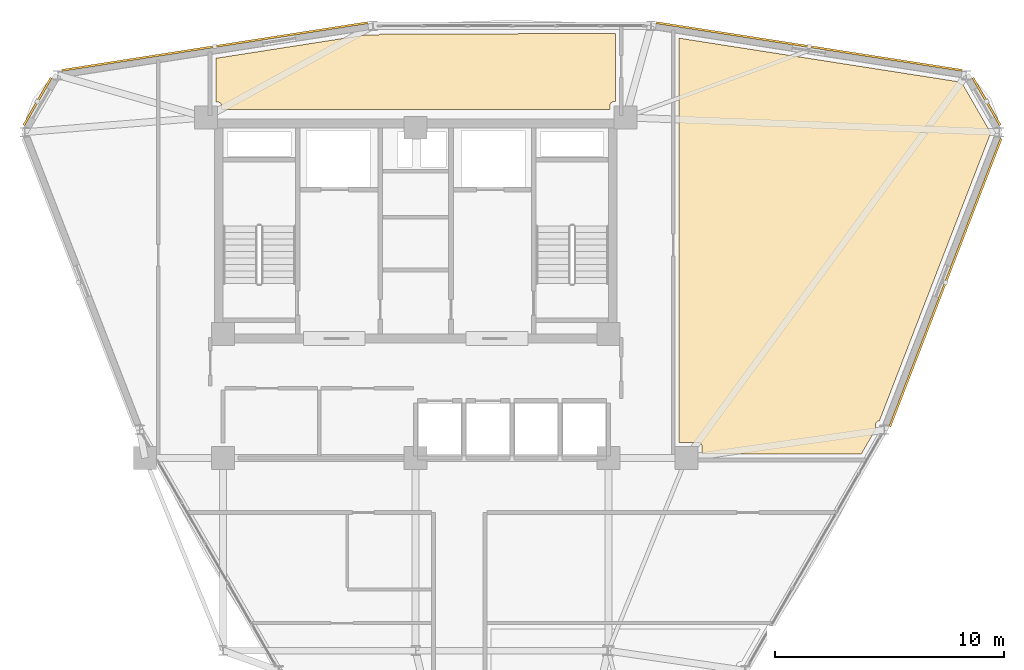
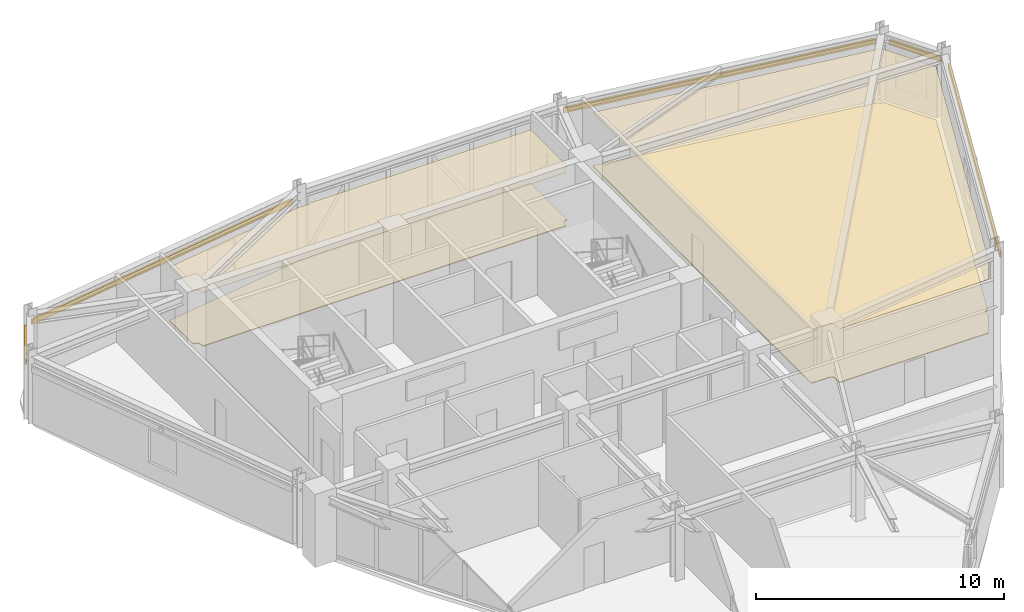
# One storey, part 16 of 16: 5 shading devices, 4 coverings.
"""IFC4 building model written with IfcOpenShell, lengths in metres."""

import ifcopenshell
import ifcopenshell.guid

model = None  # the IFC model being written
_history = None  # IfcOwnerHistory: only IFC2X3 demands one
_inside = {}  # id of a spatial element -> (the spatial element, [elements in it])
_under = {}  # id of a project, library or spatial element -> (it, [spatial elements below it])
_declared = {}  # id of a project -> (the project, [libraries it declares])
_typed = {}  # id of a type object -> (the type object, [elements of that type])
_made_of = {}  # id of a material, layer set ... -> (it, [elements and type objects made of it])


def new_model(schema):
    """Start an empty IFC model of exactly this schema.

    Asked for "IFC4X3", IfcOpenShell would pick the latest addendum, in which some entities
    have other attributes; the version numbers below select the first issue.
    IFC2X3 requires an IfcOwnerHistory on every rooted entity: one is made here for all.
    """
    global model, _history
    if schema == "IFC4X3":
        model = ifcopenshell.file(schema_version=(4, 3, 0, 0))
    else:
        model = ifcopenshell.file(schema=schema)
    _inside.clear()
    _under.clear()
    _declared.clear()
    _typed.clear()
    _made_of.clear()
    _history = None
    if model.schema == "IFC2X3":
        org = make("IfcOrganization", Name="unknown")
        user = make(
            "IfcPersonAndOrganization",
            ThePerson=make("IfcPerson", FamilyName="unknown"),
            TheOrganization=org,
        )
        app = make(
            "IfcApplication",
            ApplicationDeveloper=org,
            Version="unknown",
            ApplicationFullName="unknown",
            ApplicationIdentifier="unknown",
        )
        _history = make(
            "IfcOwnerHistory",
            OwningUser=user,
            OwningApplication=app,
            ChangeAction="ADDED",
            CreationDate=0,
        )
    return model


def make(cls, **values):
    """One entity of the class cls with the attributes given. An attribute that is None is left unset."""
    return model.create_entity(
        cls, **{name: value for name, value in values.items() if value is not None}
    )


def rooted(cls, **values):
    """An entity with a GlobalId (a new one), such as an element, a storey or a relation."""
    return make(cls, GlobalId=ifcopenshell.guid.new(), OwnerHistory=_history, **values)


def si_unit(unit_type, name, prefix=None):
    """IfcSIUnit, for example si_unit("LENGTHUNIT", "METRE", prefix="MILLI")."""
    return make("IfcSIUnit", UnitType=unit_type, Prefix=prefix, Name=name)


def derived_unit(unit_type, elements):
    """IfcDerivedUnit: a product of units, each with its exponent."""
    return make(
        "IfcDerivedUnit",
        Elements=[
            make("IfcDerivedUnitElement", Unit=unit, Exponent=power)
            for unit, power in elements
        ],
        UnitType=unit_type,
    )


def assignment(units):
    """IfcUnitAssignment: the units of a project."""
    return None if units is None else make("IfcUnitAssignment", Units=units)


def point(xyz):
    """IfcCartesianPoint."""
    return None if xyz is None else make("IfcCartesianPoint", Coordinates=xyz)


def direction(xyz):
    """IfcDirection."""
    return None if xyz is None else make("IfcDirection", DirectionRatios=xyz)


def frame(location, z_axis=None, x_axis=None):
    """IfcAxis2Placement3D, a coordinate frame: its origin and axes. An axis left out is left unset."""
    return make(
        "IfcAxis2Placement3D",
        Location=point(location),
        Axis=direction(z_axis),
        RefDirection=direction(x_axis),
    )


def frame_2d(location, x_axis=None):
    """IfcAxis2Placement2D, a coordinate frame in the plane: its origin and x axis."""
    return make(
        "IfcAxis2Placement2D", Location=point(location), RefDirection=direction(x_axis)
    )


def origin():
    """The frame at (0, 0, 0) with its axes left unset."""
    return frame((0.0, 0.0, 0.0))


def origin_2d():
    """The frame at (0, 0) in the plane with its x axis left unset."""
    return frame_2d((0.0, 0.0))


def place(relative_to, where):
    """IfcLocalPlacement: puts the frame where relative to a parent placement (None: the world)."""
    return make(
        "IfcLocalPlacement", PlacementRelTo=relative_to, RelativePlacement=where
    )


def context(
    kind, dimensions, precision=None, world=None, true_north=None, identifier=None
):
    """IfcGeometricRepresentationContext, for example the 3D "Model" context."""
    return make(
        "IfcGeometricRepresentationContext",
        ContextIdentifier=identifier,
        ContextType=kind,
        CoordinateSpaceDimension=dimensions,
        Precision=precision,
        WorldCoordinateSystem=world,
        TrueNorth=true_north,
    )


def subcontext(parent, identifier, kind, view, scale=None):
    """IfcGeometricRepresentationSubContext, for example "Body" below "Model"."""
    return make(
        "IfcGeometricRepresentationSubContext",
        ContextIdentifier=identifier,
        ContextType=kind,
        ParentContext=parent,
        TargetScale=scale,
        TargetView=view,
    )


def project(units=None, contexts=None):
    """IfcProject with its units and contexts."""
    return rooted(
        "IfcProject",
        Name="project",
        RepresentationContexts=contexts,
        UnitsInContext=assignment(units),
    )


def spatial(cls, under=None, at=None, **own):
    """A site, building, storey or space (cls), placed at a placement, below another one or the project."""
    s = rooted(cls, ObjectPlacement=at, **own)
    if under is not None:
        _under.setdefault(under.id(), (under, []))[1].append(s)
    return s


def polyline(points):
    """IfcPolyline through the points."""
    return make("IfcPolyline", Points=[point(p) for p in points])


def profile(cls, at=None, kind="AREA", **sizes):
    """A parametric profile (cls). Its sizes go by their IFC names, for example OverallWidth=200.0."""
    return make(cls, ProfileType=kind, Position=at, **sizes)


def hollow_rectangle(**sizes):
    """IfcRectangleHollowProfileDef."""
    return profile("IfcRectangleHollowProfileDef", **sizes)


def outline(outer, holes=None, kind="AREA"):
    """IfcArbitraryClosedProfileDef: a profile drawn as a closed curve; with holes, ...WithVoids."""
    if holes is None:
        return make("IfcArbitraryClosedProfileDef", ProfileType=kind, OuterCurve=outer)
    return make(
        "IfcArbitraryProfileDefWithVoids",
        ProfileType=kind,
        OuterCurve=outer,
        InnerCurves=holes,
    )


def extrude(swept, where, along, depth):
    """IfcExtrudedAreaSolid: the profile swept, set in the frame where, extruded along a direction by depth."""
    return make(
        "IfcExtrudedAreaSolid",
        SweptArea=swept,
        Position=where,
        ExtrudedDirection=direction(along),
        Depth=depth,
    )


def shape(context_of_items, identifier, shape_type, items):
    """IfcShapeRepresentation: the items that make up one representation, for example the "Body"."""
    return make(
        "IfcShapeRepresentation",
        ContextOfItems=context_of_items,
        RepresentationIdentifier=identifier,
        RepresentationType=shape_type,
        Items=items,
    )


def source(mapping_origin, context_of_items, identifier, shape_type, items):
    """IfcRepresentationMap: a shape defined once, which mapped items show again and again."""
    return make(
        "IfcRepresentationMap",
        MappingOrigin=mapping_origin,
        MappedRepresentation=shape(context_of_items, identifier, shape_type, items),
    )


def transform(
    local_origin,
    x_axis=None,
    y_axis=None,
    z_axis=None,
    scale=None,
    scale2=None,
    scale3=None,
    uniform=True,
):
    """IfcCartesianTransformationOperator3D, or its non-uniform kind. x_axis, y_axis, z_axis: its Axis1, 2, 3."""
    if uniform:
        return make(
            "IfcCartesianTransformationOperator3D",
            Axis1=direction(x_axis),
            Axis2=direction(y_axis),
            LocalOrigin=point(local_origin),
            Scale=scale,
            Axis3=direction(z_axis),
        )
    return make(
        "IfcCartesianTransformationOperator3DnonUniform",
        Axis1=direction(x_axis),
        Axis2=direction(y_axis),
        LocalOrigin=point(local_origin),
        Scale=scale,
        Axis3=direction(z_axis),
        Scale2=scale2,
        Scale3=scale3,
    )


def mapped(mapping_source, mapping_target):
    """IfcMappedItem: shows the shape of a source again, moved by a transform."""
    return make(
        "IfcMappedItem", MappingSource=mapping_source, MappingTarget=mapping_target
    )


def material(Name=None, Category=None):
    """IfcMaterial."""
    return make("IfcMaterial", Name=Name, Category=Category)


def layer(
    of_material, thickness, ventilated=None, Name=None, Category=None, Priority=None
):
    """IfcMaterialLayer: one layer of a wall or slab, of a material (None: an air gap)."""
    return make(
        "IfcMaterialLayer",
        Material=of_material,
        LayerThickness=thickness,
        IsVentilated=ventilated,
        Name=Name,
        Category=Category,
        Priority=Priority,
    )


def layer_set(layers, Name=None):
    """IfcMaterialLayerSet."""
    return make("IfcMaterialLayerSet", MaterialLayers=layers, LayerSetName=Name)


def material_profile(
    of_material, cross_section, Name=None, Category=None, Priority=None
):
    """IfcMaterialProfile: a cross section and its material."""
    return make(
        "IfcMaterialProfile",
        Name=Name,
        Material=of_material,
        Profile=cross_section,
        Priority=Priority,
        Category=Category,
    )


def profile_set(profiles, Name=None, composite=None):
    """IfcMaterialProfileSet."""
    return make(
        "IfcMaterialProfileSet",
        Name=Name,
        MaterialProfiles=profiles,
        CompositeProfile=composite,
    )


def made_of(thing, what):
    """Note that an element or type object is made of a material, layer set ...; save() writes the relation."""
    if what is not None:
        _made_of.setdefault(what.id(), (what, []))[1].append(thing)
    return thing


def type_object(cls, material=None, **own):
    """A type object (cls), such as IfcWallType, which elements share."""
    return made_of(rooted(cls, **own), material)


def element(
    cls,
    number,
    at=None,
    inside=None,
    cuts=None,
    type_object=None,
    material=None,
    context=None,
    identifier="Body",
    shape_type=None,
    held_by="IfcProductDefinitionShape",
    body=None,
    shapes=None,
    **own,
):
    """One element of the class cls, such as IfcWall. Its Tag is "e" and its number.

    at: its placement. inside: the storey or other place that contains it. cuts: it is an
    opening in that element (IfcRelVoidsElement). A single representation is given by context,
    identifier, shape_type and body (its items); several are given by shapes. held_by: the class
    of the entity that holds the representations. save() writes the other relations.
    """
    e = rooted(cls, Tag="e%d" % number, ObjectPlacement=at, **own)
    if body is not None:
        shapes = [shape(context, identifier, shape_type, body)]
    if shapes is not None:
        e.Representation = make(held_by, Representations=shapes)
    if inside is not None:
        _inside.setdefault(inside.id(), (inside, []))[1].append(e)
    if cuts is not None:
        rooted(
            "IfcRelVoidsElement", RelatingBuildingElement=cuts, RelatedOpeningElement=e
        )
    if type_object is not None:
        _typed.setdefault(type_object.id(), (type_object, []))[1].append(e)
    return made_of(e, material)


def aggregate(whole, parts):
    """IfcRelAggregates: a whole, such as a stair, and the parts it consists of."""
    return rooted("IfcRelAggregates", RelatingObject=whole, RelatedObjects=parts)


def save(model, path):
    """Write the relations noted so far, then the file.

    IfcRelAggregates (storeys below a building ...), IfcRelContainedInSpatialStructure (elements
    in a storey), IfcRelDefinesByType, IfcRelAssociatesMaterial and IfcRelDeclares: one each for
    every whole, place, type object, material and project.
    """
    for whole, parts in _under.values():
        aggregate(whole, parts)
    for where, things in _inside.values():
        rooted(
            "IfcRelContainedInSpatialStructure",
            RelatedElements=things,
            RelatingStructure=where,
        )
    for kind, things in _typed.values():
        rooted("IfcRelDefinesByType", RelatedObjects=things, RelatingType=kind)
    for what, things in _made_of.values():
        rooted("IfcRelAssociatesMaterial", RelatedObjects=things, RelatingMaterial=what)
    for by, libraries in _declared.values():
        rooted("IfcRelDeclares", RelatingContext=by, RelatedDefinitions=libraries)
    model.write(path)


model = new_model("IFC4")

# Units and contexts
model_context = context("Model", 3, precision=1e-05, world=origin(), true_north=direction((0.0, 1.0)))
body_context = subcontext(model_context, "Body", "Model", "MODEL_VIEW")
ifc_project = project(units=[si_unit("LENGTHUNIT", "METRE"), si_unit("AREAUNIT", "SQUARE_METRE"), si_unit("VOLUMEUNIT", "CUBIC_METRE"), si_unit("PLANEANGLEUNIT", "RADIAN"), si_unit("MASSUNIT", "GRAM", prefix="KILO"), derived_unit("THERMALTRANSMITTANCEUNIT", [(si_unit("POWERUNIT", "WATT"), 1), (si_unit("LENGTHUNIT", "METRE"), -2), (si_unit("THERMODYNAMICTEMPERATUREUNIT", "KELVIN"), -1)])], contexts=[model_context])

# Site, building, storey
site_placement = place(None, origin())
site = spatial("IfcSite", under=ifc_project, at=site_placement, CompositionType="ELEMENT")
building_placement = place(site_placement, origin())
building = spatial("IfcBuilding", under=site, at=building_placement, Name="Korsvarv Bourse and Concert Hall", CompositionType="ELEMENT")
storey_placement = place(building_placement, frame((0.0, 0.0, 234.60009765625)))
storey = spatial("IfcBuildingStorey", under=building, at=storey_placement, Name="L61", CompositionType="ELEMENT", Elevation=234.60009765625)

# Coverings
ifc_material_1 = material(Name="Perforated mineral-wool and birch acoustic baffle ceiling", Category="wood")
ifc_layer_1 = layer(ifc_material_1, 0.02490234375)
ifc_layer_set_1 = layer_set([ifc_layer_1], Name="Perforated mineral-wool and birch acoustic baffle ceiling")
covering_type_1 = type_object("IfcCoveringType", Name="COV-CEIL-1", PredefinedType="CEILING", material=ifc_layer_set_1)
covering_1_placement = place(storey_placement, frame((0.0, 0.0, 2.639892578125)))
element("IfcCovering", 1, at=covering_1_placement, inside=storey, type_object=covering_type_1, Name="L61 acoustic baffle ceiling 1", PredefinedType="CEILING", context=body_context, shape_type="SweptSolid", body=[
    extrude(outline(polyline([(48.489990234375, 32.570068359375), (48.489990234375, 32.89990234375), (48.486572265625, 32.934814453125), (48.4765625, 32.968505859375), (48.4599609375, 32.99951171875), (48.43798828125, 33.026611328125), (48.410888671875, 33.049072265625), (48.380126953125, 33.06591796875), (48.3466796875, 33.076171875), (48.311767578125, 33.080078125), (47.47998046875, 33.088134765625), (47.47998046875, 50.70703125), (59.6337890625, 48.81201171875), (59.647705078125, 48.78759765625), (59.6708984375, 48.760009765625), (59.699462890625, 48.73779296875), (59.731689453125, 48.721435546875), (59.766357421875, 48.712158203125), (59.84228515625, 48.706298828125), (61.05419921875, 46.60693359375), (61.05419921875, 46.53271484375), (56.21923828125, 34.026611328125), (56.19287109375, 34.023681640625), (56.159912109375, 34.013916015625), (56.129150390625, 33.998291015625), (56.102294921875, 33.976806640625), (56.079833984375, 33.95068359375), (56.062744140625, 33.920654296875), (56.0517578125, 33.887939453125), (56.047119140625, 33.853759765625), (56.038818359375, 33.631591796875), (55.426025390625, 32.570068359375), (48.489990234375, 32.570068359375)])), origin(), (0.0, 0.0, 1.0), 0.02490234375),
])
covering_2_placement = place(storey_placement, frame((0.0, 0.0, 2.639892578125)))
element("IfcCovering", 2, at=covering_2_placement, inside=storey, type_object=covering_type_1, Name="L61 acoustic baffle ceiling 3", PredefinedType="CEILING", context=body_context, shape_type="SweptSolid", body=[
    extrude(outline(polyline([(33.87890625, 50.856689453125), (33.905517578125, 50.851318359375), (34.338134765625, 50.843017578125), (34.37451171875, 50.84619140625), (34.4091796875, 50.8564453125), (34.44140625, 50.87353515625), (34.469482421875, 50.896728515625), (44.7099609375, 50.901123046875), (44.7099609375, 47.93994140625), (44.64990234375, 47.93994140625), (44.615478515625, 47.936767578125), (44.582275390625, 47.9267578125), (44.5517578125, 47.910888671875), (44.524658203125, 47.88916015625), (44.502197265625, 47.86279296875), (44.4853515625, 47.83251953125), (44.474365234375, 47.799560546875), (44.47021484375, 47.765380859375), (44.465087890625, 47.60009765625), (27.5400390625, 47.60009765625), (27.5400390625, 47.75), (27.53662109375, 47.7841796875), (27.527099609375, 47.817138671875), (27.510986328125, 47.84765625), (27.48974609375, 47.874755859375), (27.463623046875, 47.897216796875), (27.433837890625, 47.914306640625), (27.4013671875, 47.92529296875), (27.3671875, 47.929931640625), (27.2900390625, 47.932861328125), (27.2900390625, 49.8291015625), (33.87890625, 50.856689453125)])), origin(), (0.0, 0.0, 1.0), 0.02490234375),
])
ifc_material_2 = material(Name="Calcium-sulphate raised access trading floor with Nordic oak top", Category="wood")
ifc_layer_2 = layer(ifc_material_2, 0.0400390625)
ifc_layer_set_2 = layer_set([ifc_layer_2], Name="Calcium-sulphate raised access trading floor with Nordic oak top")
covering_type_2 = type_object("IfcCoveringType", Name="COV-FLOR-1", PredefinedType="FLOORING", material=ifc_layer_set_2)
covering_3_placement = place(storey_placement, origin())
element("IfcCovering", 3, at=covering_3_placement, inside=storey, type_object=covering_type_2, Name="L61 raised access oak floor finish 1", PredefinedType="FLOORING", context=body_context, shape_type="SweptSolid", body=[
    extrude(outline(polyline([(48.489990234375, 32.570068359375), (48.489990234375, 32.89990234375), (48.486572265625, 32.934814453125), (48.4765625, 32.968505859375), (48.4599609375, 32.99951171875), (48.43798828125, 33.026611328125), (48.410888671875, 33.049072265625), (48.380126953125, 33.06591796875), (48.3466796875, 33.076171875), (48.311767578125, 33.080078125), (47.47998046875, 33.088134765625), (47.47998046875, 50.70703125), (59.6337890625, 48.81201171875), (59.647705078125, 48.78759765625), (59.6708984375, 48.760009765625), (59.699462890625, 48.73779296875), (59.731689453125, 48.721435546875), (59.766357421875, 48.712158203125), (59.84228515625, 48.706298828125), (61.05419921875, 46.60693359375), (61.05419921875, 46.53271484375), (56.21923828125, 34.026611328125), (56.19287109375, 34.023681640625), (56.159912109375, 34.013916015625), (56.129150390625, 33.998291015625), (56.102294921875, 33.976806640625), (56.079833984375, 33.95068359375), (56.062744140625, 33.920654296875), (56.0517578125, 33.887939453125), (56.047119140625, 33.853759765625), (56.038818359375, 33.631591796875), (55.426025390625, 32.570068359375), (48.489990234375, 32.570068359375)])), origin(), (0.0, 0.0, 1.0), 0.039794921875),
])
covering_4_placement = place(storey_placement, origin())
element("IfcCovering", 4, at=covering_4_placement, inside=storey, type_object=covering_type_2, Name="L61 raised access oak floor finish 3", PredefinedType="FLOORING", context=body_context, shape_type="SweptSolid", body=[
    extrude(outline(polyline([(33.87890625, 50.856689453125), (33.905517578125, 50.851318359375), (34.338134765625, 50.843017578125), (34.37451171875, 50.84619140625), (34.4091796875, 50.8564453125), (34.44140625, 50.87353515625), (34.469482421875, 50.896728515625), (44.7099609375, 50.901123046875), (44.7099609375, 47.93994140625), (44.64990234375, 47.93994140625), (44.615478515625, 47.936767578125), (44.582275390625, 47.9267578125), (44.5517578125, 47.910888671875), (44.524658203125, 47.88916015625), (44.502197265625, 47.86279296875), (44.4853515625, 47.83251953125), (44.474365234375, 47.799560546875), (44.47021484375, 47.765380859375), (44.465087890625, 47.60009765625), (27.5400390625, 47.60009765625), (27.5400390625, 47.75), (27.53662109375, 47.7841796875), (27.527099609375, 47.817138671875), (27.510986328125, 47.84765625), (27.48974609375, 47.874755859375), (27.463623046875, 47.897216796875), (27.433837890625, 47.914306640625), (27.4013671875, 47.92529296875), (27.3671875, 47.929931640625), (27.2900390625, 47.932861328125), (27.2900390625, 49.8291015625), (33.87890625, 50.856689453125)])), origin(), (0.0, 0.0, 1.0), 0.039794921875),
])

# Shading devices
ifc_material_3 = material(Name="Glazed extruded architectural terracotta", Category="ceramic")
ifc_material_profile = material_profile(ifc_material_3, hollow_rectangle(XDim=0.090087890625, YDim=0.260009765625, WallThickness=0.011962890625, at=origin_2d()), Name="TC-BAG 90x260")
ifc_profile_set = profile_set([ifc_material_profile], Name="Glazed extruded architectural terracotta")
shading_device_type = type_object("IfcShadingDeviceType", Name="SHD-BAG-1", PredefinedType="USERDEFINED", material=ifc_profile_set)
shared_shape_1 = source(origin(), body_context, "Body", "SweptSolid", [
    extrude(hollow_rectangle(XDim=0.090087890625, YDim=0.260009765625, WallThickness=0.011962890625, at=origin_2d()), origin(), (0.0, 0.0, 1.0), 2.384765625),
])
for number, where, z_axis, x_axis, name in (
    (5, (61.484619140625, 46.911865234375, 2.7099609375), (-0.500014901547, 0.866016800201, 0.0), (-0.866016800201, -0.500014901547, 0.0), "L61 terracotta baguette sunshade EW-L61-B01"),
    (6, (20.10791015625, 48.97705078125, 2.7099609375), (-0.500014901547, -0.866016800201, 0.0), (0.866016800201, -0.500014901547, 0.0), "L61 terracotta baguette sunshade EW-L61-B05"),
):
    element("IfcShadingDevice", number, at=place(storey_placement, frame(where, z_axis=z_axis, x_axis=x_axis)), inside=storey, type_object=shading_device_type, Name=name, ObjectType="BAGUETTE", PredefinedType="USERDEFINED", context=body_context, shape_type="MappedRepresentation", body=[
        mapped(shared_shape_1, transform((0.0, 0.0, 0.0), scale=1.0)),
    ])
shared_shape_2 = source(origin(), body_context, "Body", "SweptSolid", [
    extrude(hollow_rectangle(XDim=0.090087890625, YDim=0.260009765625, WallThickness=0.011962890625, at=origin_2d()), origin(), (0.0, 0.0, 1.0), 13.4921875),
])
shading_device_1_placement = place(storey_placement, frame((59.827880859375, 49.302978515625, 2.7099609375), z_axis=(-0.988061317715, 0.154061132134, 0.0), x_axis=(-0.154061132134, -0.988061317715, 0.0)))
element("IfcShadingDevice", 7, at=shading_device_1_placement, inside=storey, type_object=shading_device_type, Name="L61 terracotta baguette sunshade EW-L61-B02", ObjectType="BAGUETTE", PredefinedType="USERDEFINED", context=body_context, shape_type="MappedRepresentation", body=[
    mapped(shared_shape_2, transform((0.0, 0.0, 0.0), scale=1.0)),
])
shared_shape_3 = source(origin(), body_context, "Body", "SweptSolid", [
    extrude(hollow_rectangle(XDim=0.090087890625, YDim=0.260009765625, WallThickness=0.011962890625, at=origin_2d()), origin(), (0.0, 0.0, 1.0), 13.492431640625),
])
shading_device_2_placement = place(storey_placement, frame((33.9033203125, 51.381591796875, 2.64990234375), z_axis=(-0.988061747187, -0.154058377723, 0.0), x_axis=(0.154058377723, -0.988061747187, 0.0)))
element("IfcShadingDevice", 8, at=shading_device_2_placement, inside=storey, type_object=shading_device_type, Name="L61 terracotta baguette sunshade EW-L61-B04", ObjectType="BAGUETTE", PredefinedType="USERDEFINED", context=body_context, shape_type="MappedRepresentation", body=[
    mapped(shared_shape_3, transform((0.0, 0.0, 0.0), scale=1.0)),
])
shared_shape_4 = source(origin(), body_context, "Body", "SweptSolid", [
    extrude(hollow_rectangle(XDim=0.090087890625, YDim=0.260009765625, WallThickness=0.011962890625, at=origin_2d()), origin(), (0.0, 0.0, 1.0), 13.45654296875),
])
shading_device_3_placement = place(storey_placement, frame((56.675537109375, 33.779052734375, 2.7099609375), z_axis=(0.360627094776, 0.932710082777, 0.0), x_axis=(-0.932710082777, 0.360627094776, 0.0)))
element("IfcShadingDevice", 9, at=shading_device_3_placement, inside=storey, type_object=shading_device_type, Name="L61 terracotta baguette sunshade EW-L61-B12", ObjectType="BAGUETTE", PredefinedType="USERDEFINED", context=body_context, shape_type="MappedRepresentation", body=[
    mapped(shared_shape_4, transform((0.0, 0.0, 0.0), scale=1.0)),
])

save(model, "model.ifc")
